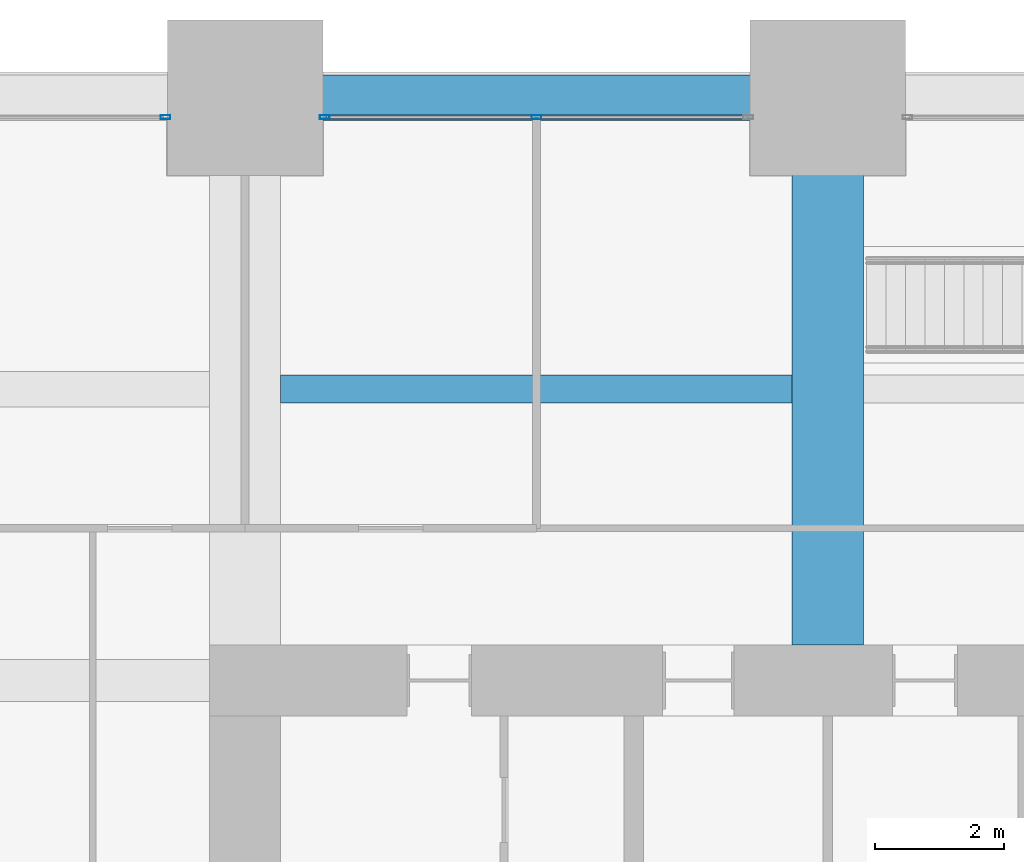
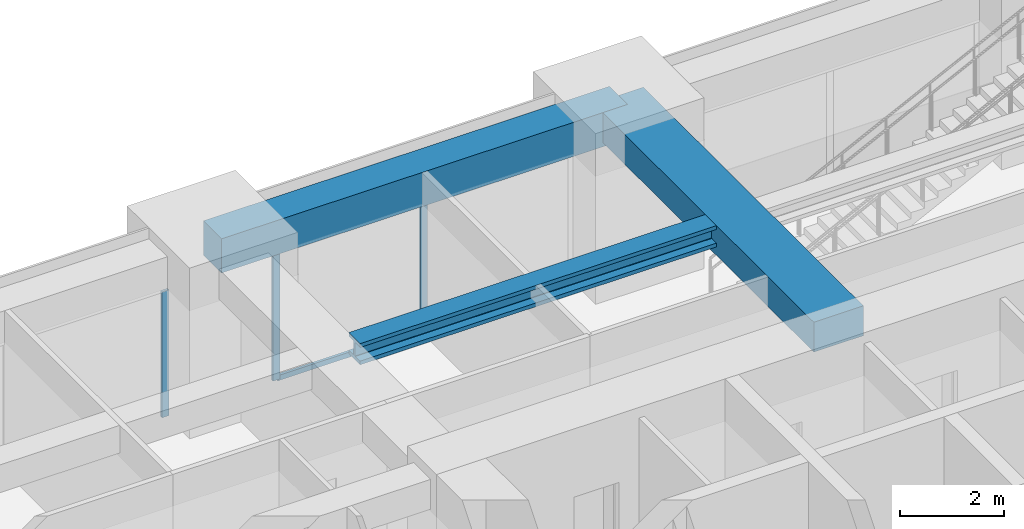
# One storey, part 24 of 34: 4 members, 3 beams, 2 elements without a shape of their own.
"""IFC4 building model written with IfcOpenShell, lengths in metres."""

from ifc_helpers import new_model, si_unit, direction, frame, origin, origin_2d, place, context, subcontext, project, spatial, rectangle, hollow_rectangle, i_section, extrude, material, material_profile, profile_set, type_object, element, aggregate, save


model = new_model("IFC4")

# Units and contexts
model_context = context("Model", 3, precision=1e-05, world=origin(), true_north=direction((0.0, 1.0)))
body_context = subcontext(model_context, "Body", "Model", "MODEL_VIEW")
ifc_project = project(units=[si_unit("LENGTHUNIT", "METRE"), si_unit("AREAUNIT", "SQUARE_METRE"), si_unit("VOLUMEUNIT", "CUBIC_METRE"), si_unit("PLANEANGLEUNIT", "RADIAN"), si_unit("MASSUNIT", "GRAM", prefix="KILO")], contexts=[model_context])

# Site, building, storey
site_placement = place(None, origin())
site = spatial("IfcSite", under=ifc_project, at=site_placement, CompositionType="ELEMENT")
building_placement = place(site_placement, origin())
building = spatial("IfcBuilding", under=site, at=building_placement, Name="Zorevar Civic Tower", CompositionType="ELEMENT")
storey_placement = place(building_placement, frame((0.0, 0.0, 214.199951171875)))
storey = spatial("IfcBuildingStorey", under=building, at=storey_placement, Name="L52", CompositionType="ELEMENT", Elevation=214.199951171875)

# Beam
ifc_material_1 = material(Name="Concrete C50/60", Category="concrete")
ifc_material_profile_1 = material_profile(ifc_material_1, rectangle(XDim=1.10009765625, YDim=0.699951171875, at=origin_2d()), Name="RC 1100x700")
ifc_profile_set_1 = profile_set([ifc_material_profile_1], Name="Concrete C50/60")
beam_type_1 = type_object("IfcBeamType", Name="Beam RC 1100x700", PredefinedType="BEAM", material=ifc_profile_set_1)
beam_1_placement = place(storey_placement, frame((27.0, 36.550048828125, 3.400146484375), z_axis=(0.0, 1.0, 0.0), x_axis=(-1.0, 0.0, 0.0)))
element("IfcBeam", 1, at=beam_1_placement, inside=storey, type_object=beam_type_1, Name="Girder L53", PredefinedType="BEAM", context=body_context, shape_type="SweptSolid", body=[
    extrude(rectangle(XDim=1.10009765625, YDim=0.699951171875, at=origin_2d()), origin(), (0.0, 0.0, 1.0), 8.449951171875),
])

# Curtain wall, member
ifc_material_2 = material(Name="Dark grey solar-control glass in black aluminium frame", Category="aluminium")
curtain_wall_type = type_object("IfcCurtainWallType", Name="Curtain wall CW4 high zone", PredefinedType="NOTDEFINED", material=ifc_material_2)
curtain_wall_1_placement = place(storey_placement, origin())
curtain_wall_1 = element("IfcCurtainWall", 2, at=curtain_wall_1_placement, inside=storey, type_object=curtain_wall_type, Name="CW4 L52", PredefinedType="NOTDEFINED")
ifc_material_3 = material(Name="Aluminium, black anodised", Category="aluminium")
ifc_material_profile_2 = material_profile(ifc_material_3, hollow_rectangle(XDim=0.06005859375, YDim=0.14990234375, WallThickness=0.00390625, at=origin_2d()), Name="AL 150x60x4")
ifc_profile_set_2 = profile_set([ifc_material_profile_2], Name="Aluminium, black anodised")
member_type_1 = type_object("IfcMemberType", Name="CW4 mullion AL 150x60x4", PredefinedType="MULLION", material=ifc_profile_set_2)
member_1_placement = place(storey_placement, frame((16.77001953125, 44.699951171875, 0.0), z_axis=(0.0, 0.0, 1.0), x_axis=(0.0, 1.0, 0.0)))
member_1 = element("IfcMember", 3, at=member_1_placement, type_object=member_type_1, Name="CW4 mullion 3", PredefinedType="MULLION", context=body_context, shape_type="SweptSolid", body=[
    extrude(hollow_rectangle(XDim=0.06005859375, YDim=0.14990234375, WallThickness=0.00390625, at=origin_2d()), origin(), (0.0, 0.0, 1.0), 2.949951171875),
])
aggregate(curtain_wall_1, [member_1])

# Curtain wall, members
curtain_wall_2_placement = place(storey_placement, origin())
curtain_wall_2 = element("IfcCurtainWall", 4, at=curtain_wall_2_placement, inside=storey, type_object=curtain_wall_type, Name="CW4 L52", PredefinedType="NOTDEFINED")
member_2_placement = place(storey_placement, frame((19.22998046875, 44.699951171875, 0.0), z_axis=(0.0, 0.0, 1.0), x_axis=(0.0, 1.0, 0.0)))
member_2 = element("IfcMember", 5, at=member_2_placement, type_object=member_type_1, Name="CW4 mullion 1", PredefinedType="MULLION", context=body_context, shape_type="SweptSolid", body=[
    extrude(hollow_rectangle(XDim=0.06005859375, YDim=0.14990234375, WallThickness=0.00390625, at=origin_2d()), origin(), (0.0, 0.0, 1.0), 2.949951171875),
])
member_3_placement = place(storey_placement, frame((22.5, 44.699951171875, 0.06005859375), z_axis=(0.0, 0.0, 1.0), x_axis=(0.0, 1.0, 0.0)))
member_3 = element("IfcMember", 6, at=member_3_placement, type_object=member_type_1, Name="CW4 mullion 2", PredefinedType="MULLION", context=body_context, shape_type="SweptSolid", body=[
    extrude(hollow_rectangle(XDim=0.06005859375, YDim=0.14990234375, WallThickness=0.00390625, at=origin_2d()), origin(), (0.0, 0.0, 1.0), 2.889892578125),
])
ifc_material_4 = material(Name="Aluminium, black anodised", Category="aluminium")
ifc_material_profile_3 = material_profile(ifc_material_4, hollow_rectangle(XDim=0.06005859375, YDim=0.1201171875, WallThickness=0.0029296875, at=origin_2d()), Name="AL 120x60x3")
ifc_profile_set_3 = profile_set([ifc_material_profile_3], Name="Aluminium, black anodised")
member_type_2 = type_object("IfcMemberType", Name="CW4 transom AL 120x60x3", PredefinedType="USERDEFINED", material=ifc_profile_set_3)
member_4_placement = place(storey_placement, frame((19.260009765625, 44.699951171875, 0.030029296875), z_axis=(1.0, 0.0, 0.0), x_axis=(0.0, 1.0, 0.0)))
member_4 = element("IfcMember", 7, at=member_4_placement, type_object=member_type_2, Name="CW4 sill transom", ObjectType="TRANSOM", PredefinedType="USERDEFINED", context=body_context, shape_type="SweptSolid", body=[
    extrude(hollow_rectangle(XDim=0.06005859375, YDim=0.1201171875, WallThickness=0.0029296875, at=origin_2d()), origin(), (0.0, 0.0, 1.0), 6.47998046875),
])
aggregate(curtain_wall_2, [member_2, member_3, member_4])

# Beams
ifc_material_5 = material(Name="Steel S460M (HISTAR 460)", Category="steel")
ifc_material_profile_4 = material_profile(ifc_material_5, i_section(OverallWidth=0.431884765625, OverallDepth=0.498046875, WebThickness=0.0556640625, FlangeThickness=0.0888671875, FilletRadius=0.014892578125, at=origin_2d()), Name="HD 400x744")
ifc_profile_set_4 = profile_set([ifc_material_profile_4], Name="Steel S460M (HISTAR 460)")
beam_type_2 = type_object("IfcBeamType", Name="Core bay beam HD 400x744", PredefinedType="BEAM", material=ifc_profile_set_4)
beam_2_placement = place(storey_placement, frame((18.550048828125, 40.5, 3.5009765625), z_axis=(1.0, 0.0, 0.0), x_axis=(0.0, 1.0, 0.0)))
element("IfcBeam", 8, at=beam_2_placement, inside=storey, type_object=beam_type_2, Name="Secondary beam L53", PredefinedType="BEAM", context=body_context, shape_type="SweptSolid", body=[
    extrude(i_section(OverallWidth=0.431884765625, OverallDepth=0.498046875, WebThickness=0.0556640625, FlangeThickness=0.0888671875, FilletRadius=0.014892578125, at=origin_2d()), origin(), (0.0, 0.0, 1.0), 7.89990234375),
])
ifc_material_6 = material(Name="Concrete C50/60", Category="concrete")
ifc_material_profile_5 = material_profile(ifc_material_6, rectangle(XDim=0.699951171875, YDim=0.800048828125, at=origin_2d()), Name="RC 700x800")
ifc_profile_set_5 = profile_set([ifc_material_profile_5], Name="Concrete C50/60")
beam_type_3 = type_object("IfcBeamType", Name="Edge beam RC 700x800", PredefinedType="SPANDREL", material=ifc_profile_set_5)
beam_3_placement = place(storey_placement, frame((18.0, 45.0, 3.35009765625), z_axis=(1.0, 0.0, 0.0), x_axis=(0.0, 1.0, 0.0)))
element("IfcBeam", 9, at=beam_3_placement, inside=storey, type_object=beam_type_3, Name="Edge beam L53", PredefinedType="SPANDREL", context=body_context, shape_type="SweptSolid", body=[
    extrude(rectangle(XDim=0.699951171875, YDim=0.800048828125, at=origin_2d()), origin(), (0.0, 0.0, 1.0), 9.0),
])

save(model, "model.ifc")
